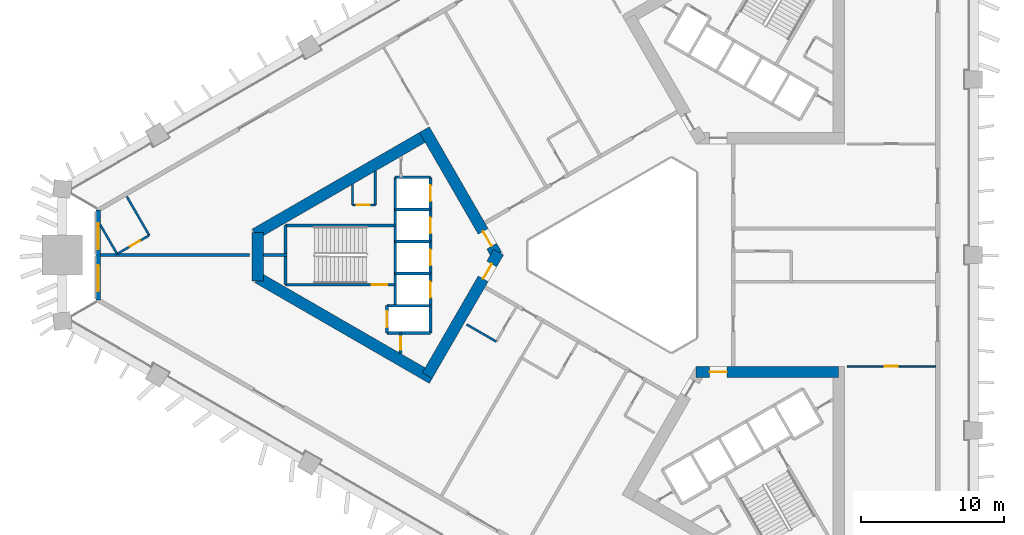
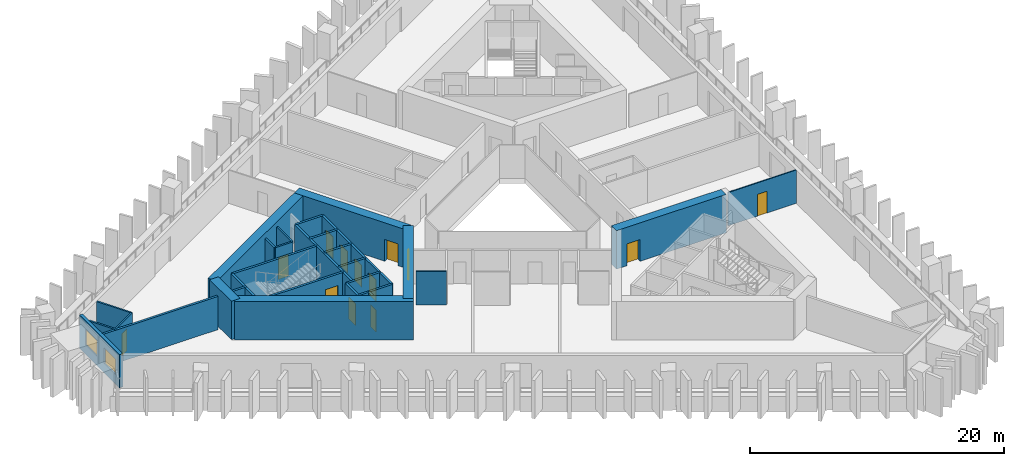
# One storey, part 3 of 10: 30 walls, 13 doors, 2 windows, 15 openings.
"""IFC4 building model written with IfcOpenShell, lengths in metres."""

from ifc_helpers import new_model, si_unit, direction, frame, frame_2d, origin, place, context, subcontext, project, spatial, rectangle, extrude, material, layer, layer_set, type_object, element, fill, save


model = new_model("IFC4")

# Units and contexts
model_context = context("Model", 3, precision=1e-05, world=origin(), true_north=direction((0.0, 1.0)))
body_context = subcontext(model_context, "Body", "Model", "MODEL_VIEW")
ifc_project = project(units=[si_unit("LENGTHUNIT", "METRE"), si_unit("AREAUNIT", "SQUARE_METRE"), si_unit("VOLUMEUNIT", "CUBIC_METRE"), si_unit("PLANEANGLEUNIT", "RADIAN"), si_unit("MASSUNIT", "GRAM", prefix="KILO")], contexts=[model_context])

# Site, building, storey
site_placement = place(None, origin())
site = spatial("IfcSite", under=ifc_project, at=site_placement, CompositionType="ELEMENT")
building_placement = place(site_placement, origin())
building = spatial("IfcBuilding", under=site, at=building_placement, Name="Jabali Bay Hotel Tower and Convention Centre", CompositionType="ELEMENT")
storey_placement = place(building_placement, frame((0.0, 0.0, 33.699951171875)))
storey = spatial("IfcBuildingStorey", under=building, at=storey_placement, Name="L06", CompositionType="ELEMENT", Elevation=33.699951171875)

# Wall
ifc_material_1 = material(Name="Concrete C40", Category="concrete")
ifc_layer_1 = layer(ifc_material_1, 0.199951171875)
ifc_layer_set_1 = layer_set([ifc_layer_1], Name="Concrete C40")
wall_type_1 = type_object("IfcWallType", Name="Core partition wall 200", PredefinedType="PARTITIONING", material=ifc_layer_set_1)
wall_1_placement = place(storey_placement, frame((50.820068359375, 80.0, 0.0), z_axis=(0.0, 0.0, 1.0), x_axis=(-1.0, 0.0, 0.0)))
element("IfcWall", 1, at=wall_1_placement, inside=storey, type_object=wall_type_1, Name="Core wall 0.5 L06", PredefinedType="PARTITIONING", context=body_context, shape_type="SweptSolid", body=[
    extrude(rectangle(XDim=1.623046875, YDim=0.199951171875, at=frame_2d((0.8115234375, 0.0))), origin(), (0.0, 0.0, 1.0), 3.199951171875),
])

# Wall, opening, door
wall_2_placement = place(storey_placement, frame((58.800048828125, 74.550048828125, 0.0), z_axis=(0.0, 0.0, 1.0), x_axis=(0.0, -1.0, 0.0)))
wall_2 = element("IfcWall", 2, at=wall_2_placement, inside=storey, type_object=wall_type_1, Name="Core wall 0.12 L06", PredefinedType="PARTITIONING", context=body_context, shape_type="SweptSolid", body=[
    extrude(rectangle(XDim=1.455078125, YDim=0.199951171875, at=frame_2d((0.7275390625, 0.0))), origin(), (0.0, 0.0, 1.0), 3.199951171875),
])
opening_1_placement = place(wall_2_placement, frame((0.277587890625, 0.0, 0.0)))
opening_1 = element("IfcOpeningElement", 3, at=opening_1_placement, cuts=wall_2, Name="Opening D218", PredefinedType="OPENING", context=body_context, shape_type="SweptSolid", body=[
    extrude(rectangle(XDim=0.89990234375, YDim=2.10009765625, at=frame_2d((0.449951171875, 1.050048828125))), frame((0.0, 0.1103515625, 0.0), z_axis=(0.0, -1.0, 0.0), x_axis=(1.0, 0.0, 0.0)), (0.0, 0.0, 1.0), 0.220947265625),
])
ifc_material_2 = material(Name="Fire-rated steel door", Category="steel")
door_type_1 = type_object("IfcDoorType", Name="Vestibule fire door 900 x 2100", OperationType="NOTDEFINED", PredefinedType="NOTDEFINED", material=ifc_material_2)
door_1_placement = place(opening_1_placement, origin())
door_1 = element("IfcDoor", 4, at=door_1_placement, inside=storey, type_object=door_type_1, Name="Vestibule fire door D218", OperationType="SINGLE_SWING_LEFT", OverallHeight=2.10009765625, OverallWidth=0.89990234375, PredefinedType="NOTDEFINED", context=body_context, shape_type="SweptSolid", body=[
    extrude(rectangle(XDim=0.89990234375, YDim=2.10009765625, at=frame_2d((0.449951171875, 1.050048828125))), frame((0.0, 0.02490234375, 0.0), z_axis=(0.0, -1.0, 0.0), x_axis=(1.0, 0.0, 0.0)), (0.0, 0.0, 1.0), 0.050048828125),
])
fill(opening_1, door_1)

ifc_material_3 = material(Name="Fire-rated board partition")
ifc_layer_2 = layer(ifc_material_3, 0.14990234375)
ifc_layer_set_2 = layer_set([ifc_layer_2], Name="Fire-rated board partition")
wall_type_2 = type_object("IfcWallType", Name="Core room partition 150", PredefinedType="PARTITIONING", material=ifc_layer_set_2)
wall_3_placement = place(storey_placement, frame((57.02001953125, 83.5, 0.0), z_axis=(0.0, 0.0, 1.0), x_axis=(-1.0, 0.0, 0.0)))
wall_3 = element("IfcWall", 5, at=wall_3_placement, inside=storey, type_object=wall_type_2, Name="Core wall 0.1 L06", PredefinedType="PARTITIONING", context=body_context, shape_type="SweptSolid", body=[
    extrude(rectangle(XDim=1.60009765625, YDim=0.14990234375, at=frame_2d((0.800048828125, 0.0))), origin(), (0.0, 0.0, 1.0), 3.199951171875),
])
opening_2_placement = place(wall_3_placement, frame((0.387451171875, 0.0, 0.0)))
opening_2 = element("IfcOpeningElement", 6, at=opening_2_placement, cuts=wall_3, Name="Opening D221", PredefinedType="OPENING", context=body_context, shape_type="SweptSolid", body=[
    extrude(rectangle(XDim=0.89990234375, YDim=2.10009765625, at=frame_2d((0.449951171875, 1.050048828125))), frame((0.0, 0.08544921875, 0.0), z_axis=(0.0, -1.0, 0.0), x_axis=(1.0, 0.0, 0.0)), (0.0, 0.0, 1.0), 0.1708984375),
])
door_type_2 = type_object("IfcDoorType", Name="Core room door 900 x 2100", OperationType="NOTDEFINED", PredefinedType="NOTDEFINED", material=ifc_material_2)
door_2_placement = place(opening_2_placement, origin())
door_2 = element("IfcDoor", 7, at=door_2_placement, inside=storey, type_object=door_type_2, Name="Core room door D221", OperationType="SINGLE_SWING_LEFT", OverallHeight=2.10009765625, OverallWidth=0.89990234375, PredefinedType="NOTDEFINED", context=body_context, shape_type="SweptSolid", body=[
    extrude(rectangle(XDim=0.89990234375, YDim=2.10009765625, at=frame_2d((0.449951171875, 1.050048828125))), frame((0.0, 0.02490234375, 0.0), z_axis=(0.0, -1.0, 0.0), x_axis=(1.0, 0.0, 0.0)), (0.0, 0.0, 1.0), 0.050048828125),
])
fill(opening_2, door_2)

# Walls
wall_4_placement = place(storey_placement, frame((57.02001953125, 85.87744140625, 0.0), z_axis=(0.0, 0.0, 1.0), x_axis=(0.0, -1.0, 0.0)))
element("IfcWall", 8, at=wall_4_placement, inside=storey, type_object=wall_type_2, Name="Core wall 0.15 L06", PredefinedType="PARTITIONING", context=body_context, shape_type="SweptSolid", body=[
    extrude(rectangle(XDim=2.37744140625, YDim=0.14990234375, at=frame_2d((1.188720703125, 0.0))), origin(), (0.0, 0.0, 1.0), 3.199951171875),
])
wall_5_placement = place(storey_placement, frame((55.419921875, 84.95361328125, 0.0), z_axis=(0.0, 0.0, 1.0), x_axis=(0.0, -1.0, 0.0)))
element("IfcWall", 9, at=wall_5_placement, inside=storey, type_object=wall_type_2, Name="Core wall 0.16 L06", PredefinedType="PARTITIONING", context=body_context, shape_type="SweptSolid", body=[
    extrude(rectangle(XDim=1.45361328125, YDim=0.14990234375, at=frame_2d((0.726806640625, 0.0))), origin(), (0.0, 0.0, 1.0), 3.199951171875),
])
ifc_layer_3 = layer(ifc_material_1, 0.199951171875)
ifc_layer_set_3 = layer_set([ifc_layer_3], Name="Concrete C40")
wall_type_3 = type_object("IfcWallType", Name="Core stair wall 200", PredefinedType="SOLIDWALL", material=ifc_layer_set_3)
for number, where, z_axis, x_axis, name in (
    (10, (60.89990234375, 85.449951171875, 0.0), (0.0, 0.0, 1.0), (-1.0, 0.0, 0.0), "Core wall 0.0 L06"),
    (11, (60.89990234375, 83.199951171875, 0.0), (0.0, 0.0, 1.0), (-1.0, 0.0, 0.0), "Core wall 0.2 L06"),
):
    element("IfcWall", number, at=place(storey_placement, frame(where, z_axis=z_axis, x_axis=x_axis)), inside=storey, type_object=wall_type_3, Name=name, PredefinedType="SOLIDWALL", context=body_context, shape_type="SweptSolid", body=[
        extrude(rectangle(XDim=2.47998046875, YDim=0.199951171875, at=frame_2d((1.239990234375, 0.0))), origin(), (0.0, 0.0, 1.0), 3.199951171875),
    ])
wall_6_placement = place(storey_placement, frame((58.419921875, 82.074951171875, 0.0), z_axis=(0.0, 0.0, 1.0), x_axis=(-1.0, 0.0, 0.0)))
element("IfcWall", 12, at=wall_6_placement, inside=storey, type_object=wall_type_3, Name="Core wall 0.3 L06", PredefinedType="SOLIDWALL", context=body_context, shape_type="SweptSolid", body=[
    extrude(rectangle(XDim=7.699951171875, YDim=0.199951171875, at=frame_2d((3.85009765625, 0.0))), origin(), (0.0, 0.0, 1.0), 3.199951171875),
])
for number, where, z_axis, x_axis, name in (
    (13, (60.89990234375, 80.949951171875, 0.0), (0.0, 0.0, 1.0), (-1.0, 0.0, 0.0), "Core wall 0.4 L06"),
    (14, (60.89990234375, 78.699951171875, 0.0), (0.0, 0.0, 1.0), (-1.0, 0.0, 0.0), "Core wall 0.6 L06"),
):
    element("IfcWall", number, at=place(storey_placement, frame(where, z_axis=z_axis, x_axis=x_axis)), inside=storey, type_object=wall_type_3, Name=name, PredefinedType="SOLIDWALL", context=body_context, shape_type="SweptSolid", body=[
        extrude(rectangle(XDim=2.47998046875, YDim=0.199951171875, at=frame_2d((1.239990234375, 0.0))), origin(), (0.0, 0.0, 1.0), 3.199951171875),
    ])

# Wall, opening, door
wall_7_placement = place(storey_placement, frame((58.419921875, 77.925048828125, 0.0), z_axis=(0.0, 0.0, 1.0), x_axis=(-1.0, 0.0, 0.0)))
wall_7 = element("IfcWall", 15, at=wall_7_placement, inside=storey, type_object=wall_type_3, Name="Core wall 0.7 L06", PredefinedType="SOLIDWALL", context=body_context, shape_type="SweptSolid", body=[
    extrude(rectangle(XDim=7.699951171875, YDim=0.199951171875, at=frame_2d((3.85009765625, 0.0))), origin(), (0.0, 0.0, 1.0), 3.199951171875),
])
opening_3_placement = place(wall_7_placement, frame((0.550048828125, 0.0, 0.0)))
opening_3 = element("IfcOpeningElement", 16, at=opening_3_placement, cuts=wall_7, Name="Opening D220", PredefinedType="OPENING", context=body_context, shape_type="SweptSolid", body=[
    extrude(rectangle(XDim=1.10009765625, YDim=2.10009765625, at=frame_2d((0.550048828125, 1.050048828125))), frame((0.0, 0.1103515625, 0.0), z_axis=(0.0, -1.0, 0.0), x_axis=(1.0, 0.0, 0.0)), (0.0, 0.0, 1.0), 0.220947265625),
])
door_type_3 = type_object("IfcDoorType", Name="Stair fire door 1100 x 2100", OperationType="NOTDEFINED", PredefinedType="NOTDEFINED", material=ifc_material_2)
door_3_placement = place(opening_3_placement, origin())
door_3 = element("IfcDoor", 17, at=door_3_placement, inside=storey, type_object=door_type_3, Name="Stair fire door D220", OperationType="SINGLE_SWING_RIGHT", OverallHeight=2.10009765625, OverallWidth=1.10009765625, PredefinedType="NOTDEFINED", context=body_context, shape_type="SweptSolid", body=[
    extrude(rectangle(XDim=1.10009765625, YDim=2.10009765625, at=frame_2d((0.550048828125, 1.050048828125))), frame((0.0, 0.02490234375, 0.0), z_axis=(0.0, -1.0, 0.0), x_axis=(1.0, 0.0, 0.0)), (0.0, 0.0, 1.0), 0.050048828125),
])
fill(opening_3, door_3)

# Walls
for number, where, z_axis, x_axis, name in (
    (18, (60.89990234375, 76.449951171875, 0.0), (0.0, 0.0, 1.0), (-1.0, 0.0, 0.0), "Core wall 0.8 L06"),
    (19, (60.89990234375, 74.550048828125, 0.0), (0.0, 0.0, 1.0), (-1.0, 0.0, 0.0), "Core wall 0.9 L06"),
):
    element("IfcWall", number, at=place(storey_placement, frame(where, z_axis=z_axis, x_axis=x_axis)), inside=storey, type_object=wall_type_3, Name=name, PredefinedType="SOLIDWALL", context=body_context, shape_type="SweptSolid", body=[
        extrude(rectangle(XDim=3.0498046875, YDim=0.199951171875, at=frame_2d((1.52490234375, 0.0))), origin(), (0.0, 0.0, 1.0), 3.199951171875),
    ])

# Wall, openings, doors
wall_8_placement = place(storey_placement, frame((60.89990234375, 85.449951171875, 0.0), z_axis=(0.0, 0.0, 1.0), x_axis=(0.0, -1.0, 0.0)))
wall_8 = element("IfcWall", 20, at=wall_8_placement, inside=storey, type_object=wall_type_3, Name="Core wall 0.10 L06", PredefinedType="SOLIDWALL", context=body_context, shape_type="SweptSolid", body=[
    extrude(rectangle(XDim=10.89990234375, YDim=0.199951171875, at=frame_2d((5.449951171875, 0.0))), origin(), (0.0, 0.0, 1.0), 3.199951171875),
])
opening_4_placement = place(wall_8_placement, frame((0.574951171875, 0.0, 0.0)))
opening_4 = element("IfcOpeningElement", 21, at=opening_4_placement, cuts=wall_8, Name="Opening LD1-L06", PredefinedType="OPENING", context=body_context, shape_type="SweptSolid", body=[
    extrude(rectangle(XDim=1.10009765625, YDim=2.10009765625, at=frame_2d((0.550048828125, 1.050048828125))), frame((0.0, 0.1103515625, 0.0), z_axis=(0.0, -1.0, 0.0), x_axis=(1.0, 0.0, 0.0)), (0.0, 0.0, 1.0), 0.220947265625),
])
opening_5_placement = place(wall_8_placement, frame((2.824951171875, 0.0, 0.0)))
opening_5 = element("IfcOpeningElement", 22, at=opening_5_placement, cuts=wall_8, Name="Opening LD2-L06", PredefinedType="OPENING", context=body_context, shape_type="SweptSolid", body=[
    extrude(rectangle(XDim=1.10009765625, YDim=2.10009765625, at=frame_2d((0.550048828125, 1.050048828125))), frame((0.0, 0.1103515625, 0.0), z_axis=(0.0, -1.0, 0.0), x_axis=(1.0, 0.0, 0.0)), (0.0, 0.0, 1.0), 0.220947265625),
])
opening_6_placement = place(wall_8_placement, frame((5.074951171875, 0.0, 0.0)))
opening_6 = element("IfcOpeningElement", 23, at=opening_6_placement, cuts=wall_8, Name="Opening LD3-L06", PredefinedType="OPENING", context=body_context, shape_type="SweptSolid", body=[
    extrude(rectangle(XDim=1.10009765625, YDim=2.10009765625, at=frame_2d((0.550048828125, 1.050048828125))), frame((0.0, 0.1103515625, 0.0), z_axis=(0.0, -1.0, 0.0), x_axis=(1.0, 0.0, 0.0)), (0.0, 0.0, 1.0), 0.220947265625),
])
opening_7_placement = place(wall_8_placement, frame((7.324951171875, 0.0, 0.0)))
opening_7 = element("IfcOpeningElement", 24, at=opening_7_placement, cuts=wall_8, Name="Opening LD4-L06", PredefinedType="OPENING", context=body_context, shape_type="SweptSolid", body=[
    extrude(rectangle(XDim=1.10009765625, YDim=2.10009765625, at=frame_2d((0.550048828125, 1.050048828125))), frame((0.0, 0.1103515625, 0.0), z_axis=(0.0, -1.0, 0.0), x_axis=(1.0, 0.0, 0.0)), (0.0, 0.0, 1.0), 0.220947265625),
])
ifc_material_4 = material(Name="Stainless steel landing door", Category="steel")
door_type_4 = type_object("IfcDoorType", Name="Landing door 1100 x 2100", OperationType="NOTDEFINED", PredefinedType="NOTDEFINED", material=ifc_material_4)
door_4_placement = place(opening_4_placement, origin())
door_4 = element("IfcDoor", 25, at=door_4_placement, inside=storey, type_object=door_type_4, Name="Landing doors LD1-L06", OperationType="SLIDING_TO_RIGHT", OverallHeight=2.10009765625, OverallWidth=1.10009765625, PredefinedType="NOTDEFINED", context=body_context, shape_type="SweptSolid", body=[
    extrude(rectangle(XDim=1.10009765625, YDim=2.10009765625, at=frame_2d((0.550048828125, 1.050048828125))), frame((0.0, 0.02490234375, 0.0), z_axis=(0.0, -1.0, 0.0), x_axis=(1.0, 0.0, 0.0)), (0.0, 0.0, 1.0), 0.050048828125),
])
fill(opening_4, door_4)
door_5_placement = place(opening_5_placement, origin())
door_5 = element("IfcDoor", 26, at=door_5_placement, inside=storey, type_object=door_type_4, Name="Landing doors LD2-L06", OperationType="SLIDING_TO_LEFT", OverallHeight=2.10009765625, OverallWidth=1.10009765625, PredefinedType="NOTDEFINED", context=body_context, shape_type="SweptSolid", body=[
    extrude(rectangle(XDim=1.10009765625, YDim=2.10009765625, at=frame_2d((0.550048828125, 1.050048828125))), frame((0.0, 0.02490234375, 0.0), z_axis=(0.0, -1.0, 0.0), x_axis=(1.0, 0.0, 0.0)), (0.0, 0.0, 1.0), 0.050048828125),
])
fill(opening_5, door_5)
door_6_placement = place(opening_6_placement, origin())
door_6 = element("IfcDoor", 27, at=door_6_placement, inside=storey, type_object=door_type_4, Name="Landing doors LD3-L06", OperationType="SLIDING_TO_RIGHT", OverallHeight=2.10009765625, OverallWidth=1.10009765625, PredefinedType="NOTDEFINED", context=body_context, shape_type="SweptSolid", body=[
    extrude(rectangle(XDim=1.10009765625, YDim=2.10009765625, at=frame_2d((0.550048828125, 1.050048828125))), frame((0.0, 0.02490234375, 0.0), z_axis=(0.0, -1.0, 0.0), x_axis=(1.0, 0.0, 0.0)), (0.0, 0.0, 1.0), 0.050048828125),
])
fill(opening_6, door_6)
door_7_placement = place(opening_7_placement, origin())
door_7 = element("IfcDoor", 28, at=door_7_placement, inside=storey, type_object=door_type_4, Name="Landing doors LD4-L06", OperationType="SLIDING_TO_LEFT", OverallHeight=2.10009765625, OverallWidth=1.10009765625, PredefinedType="NOTDEFINED", context=body_context, shape_type="SweptSolid", body=[
    extrude(rectangle(XDim=1.10009765625, YDim=2.10009765625, at=frame_2d((0.550048828125, 1.050048828125))), frame((0.0, 0.02490234375, 0.0), z_axis=(0.0, -1.0, 0.0), x_axis=(1.0, 0.0, 0.0)), (0.0, 0.0, 1.0), 0.050048828125),
])
fill(opening_7, door_7)

# Wall
wall_9_placement = place(storey_placement, frame((58.419921875, 85.449951171875, 0.0), z_axis=(0.0, 0.0, 1.0), x_axis=(0.0, -1.0, 0.0)))
element("IfcWall", 29, at=wall_9_placement, inside=storey, type_object=wall_type_3, Name="Core wall 0.13 L06", PredefinedType="SOLIDWALL", context=body_context, shape_type="SweptSolid", body=[
    extrude(rectangle(XDim=9.0, YDim=0.199951171875, at=frame_2d((4.5, 0.0))), origin(), (0.0, 0.0, 1.0), 3.199951171875),
])

# Wall, opening, door
wall_10_placement = place(storey_placement, frame((57.85009765625, 76.449951171875, 0.0), z_axis=(0.0, 0.0, 1.0), x_axis=(0.0, -1.0, 0.0)))
wall_10 = element("IfcWall", 30, at=wall_10_placement, inside=storey, type_object=wall_type_3, Name="Core wall 0.14 L06", PredefinedType="SOLIDWALL", context=body_context, shape_type="SweptSolid", body=[
    extrude(rectangle(XDim=1.89990234375, YDim=0.199951171875, at=frame_2d((0.949951171875, 0.0))), origin(), (0.0, 0.0, 1.0), 3.199951171875),
])
opening_8_placement = place(wall_10_placement, frame((0.39990234375, 0.0, 0.0)))
opening_8 = element("IfcOpeningElement", 31, at=opening_8_placement, cuts=wall_10, Name="Opening LD5-L06", PredefinedType="OPENING", context=body_context, shape_type="SweptSolid", body=[
    extrude(rectangle(XDim=1.10009765625, YDim=2.10009765625, at=frame_2d((0.550048828125, 1.050048828125))), frame((0.0, 0.1103515625, 0.0), z_axis=(0.0, -1.0, 0.0), x_axis=(1.0, 0.0, 0.0)), (0.0, 0.0, 1.0), 0.220947265625),
])
door_8_placement = place(opening_8_placement, origin())
door_8 = element("IfcDoor", 32, at=door_8_placement, inside=storey, type_object=door_type_4, Name="Landing doors LD5-L06", OperationType="SLIDING_TO_RIGHT", OverallHeight=2.10009765625, OverallWidth=1.10009765625, PredefinedType="NOTDEFINED", context=body_context, shape_type="SweptSolid", body=[
    extrude(rectangle(XDim=1.10009765625, YDim=2.10009765625, at=frame_2d((0.550048828125, 1.050048828125))), frame((0.0, 0.02490234375, 0.0), z_axis=(0.0, -1.0, 0.0), x_axis=(1.0, 0.0, 0.0)), (0.0, 0.0, 1.0), 0.050048828125),
])
fill(opening_8, door_8)

# Wall
wall_11_placement = place(storey_placement, frame((50.719970703125, 82.074951171875, 0.0), z_axis=(0.0, 0.0, 1.0), x_axis=(0.0, -1.0, 0.0)))
element("IfcWall", 33, at=wall_11_placement, inside=storey, type_object=wall_type_3, Name="Core wall 0.17 L06", PredefinedType="SOLIDWALL", context=body_context, shape_type="SweptSolid", body=[
    extrude(rectangle(XDim=4.14990234375, YDim=0.199951171875, at=frame_2d((2.074951171875, 0.0))), origin(), (0.0, 0.0, 1.0), 3.199951171875),
])

# Wall, opening, door
ifc_material_5 = material(Name="Concrete C60", Category="concrete")
ifc_layer_4 = layer(ifc_material_5, 0.800048828125)
ifc_layer_set_4 = layer_set([ifc_layer_4], Name="Concrete C60")
wall_type_4 = type_object("IfcWallType", Name="Core wall 800", PredefinedType="SHEAR", material=ifc_layer_set_4)
wall_12_placement = place(storey_placement, frame((65.5380859375, 80.0, 0.0), z_axis=(0.0, 0.0, 1.0), x_axis=(-0.49999662545, 0.866027352073, 0.0)))
wall_12 = element("IfcWall", 34, at=wall_12_placement, inside=storey, type_object=wall_type_4, Name="Core wall 1.1 L06", PredefinedType="SHEAR", context=body_context, shape_type="SweptSolid", body=[
    extrude(rectangle(XDim=10.14892578125, YDim=0.800048828125, at=frame_2d((5.074462890625, 0.0))), origin(), (0.0, 0.0, 1.0), 3.699951171875),
])
opening_9_placement = place(wall_12_placement, frame((0.718994140625, 0.0, 0.0)))
opening_9 = element("IfcOpeningElement", 35, at=opening_9_placement, cuts=wall_12, Name="Opening D216", PredefinedType="OPENING", context=body_context, shape_type="SweptSolid", body=[
    extrude(rectangle(XDim=1.199951171875, YDim=2.10009765625, at=frame_2d((0.60009765625, 1.050048828125))), frame((0.0, 0.41064453125, 0.0), z_axis=(0.0, -1.0, 0.0), x_axis=(1.0, 0.0, 0.0)), (0.0, 0.0, 1.0), 0.821044921875),
])
door_type_5 = type_object("IfcDoorType", Name="Corridor end fire door 1200 x 2100", OperationType="NOTDEFINED", PredefinedType="NOTDEFINED", material=ifc_material_2)
door_9_placement = place(opening_9_placement, origin())
door_9 = element("IfcDoor", 36, at=door_9_placement, inside=storey, type_object=door_type_5, Name="Corridor end fire door D216", OperationType="SINGLE_SWING_RIGHT", OverallHeight=2.10009765625, OverallWidth=1.199951171875, PredefinedType="NOTDEFINED", context=body_context, shape_type="SweptSolid", body=[
    extrude(rectangle(XDim=1.199951171875, YDim=2.10009765625, at=frame_2d((0.60009765625, 1.050048828125))), frame((0.0, 0.02490234375, 0.0), z_axis=(0.0, -1.0, 0.0), x_axis=(1.0, 0.0, 0.0)), (0.0, 0.0, 1.0), 0.050048828125),
])
fill(opening_9, door_9)

# Walls
wall_13_placement = place(storey_placement, frame((60.66357421875, 88.44287109375, 0.0), z_axis=(0.0, 0.0, 1.0), x_axis=(-0.866029478545, -0.499992942241, 0.0)))
element("IfcWall", 37, at=wall_13_placement, inside=storey, type_object=wall_type_4, Name="Core wall 1.2 L06", PredefinedType="SHEAR", context=body_context, shape_type="SweptSolid", body=[
    extrude(rectangle(XDim=13.933349609375, YDim=0.800048828125, at=frame_2d((6.966796875, 0.0))), origin(), (0.0, 0.0, 1.0), 3.699951171875),
])
wall_14_placement = place(storey_placement, frame((48.796875, 81.591796875, 0.0), z_axis=(0.0, 0.0, 1.0), x_axis=(0.0, -1.0, 0.0)))
element("IfcWall", 38, at=wall_14_placement, inside=storey, type_object=wall_type_4, Name="Core wall 1.3 L06", PredefinedType="SHEAR", context=body_context, shape_type="SweptSolid", body=[
    extrude(rectangle(XDim=3.41455078125, YDim=0.800048828125, at=frame_2d((1.707275390625, 0.0))), origin(), (0.0, 0.0, 1.0), 3.699951171875),
])
wall_15_placement = place(storey_placement, frame((48.796875, 78.408203125, 0.0), z_axis=(0.0, 0.0, 1.0), x_axis=(0.866032504327, -0.499987701298, 0.0)))
element("IfcWall", 39, at=wall_15_placement, inside=storey, type_object=wall_type_4, Name="Core wall 1.4 L06", PredefinedType="SHEAR", context=body_context, shape_type="SweptSolid", body=[
    extrude(rectangle(XDim=14.102294921875, YDim=0.800048828125, at=frame_2d((7.05126953125, 0.0))), origin(), (0.0, 0.0, 1.0), 3.699951171875),
])

# Wall, opening, door
wall_16_placement = place(storey_placement, frame((60.66357421875, 71.55712890625, 0.0), z_axis=(0.0, 0.0, 1.0), x_axis=(0.50000409368, 0.866023040284, 0.0)))
wall_16 = element("IfcWall", 40, at=wall_16_placement, inside=storey, type_object=wall_type_4, Name="Core wall 1.5 L06", PredefinedType="SHEAR", context=body_context, shape_type="SweptSolid", body=[
    extrude(rectangle(XDim=9.97998046875, YDim=0.800048828125, at=frame_2d((4.989990234375, 0.0))), origin(), (0.0, 0.0, 1.0), 3.699951171875),
])
opening_10_placement = place(wall_16_placement, frame((7.830078125, 0.0, 0.0)))
opening_10 = element("IfcOpeningElement", 41, at=opening_10_placement, cuts=wall_16, Name="Opening D217", PredefinedType="OPENING", context=body_context, shape_type="SweptSolid", body=[
    extrude(rectangle(XDim=1.199951171875, YDim=2.10009765625, at=frame_2d((0.60009765625, 1.050048828125))), frame((0.0, 0.41064453125, 0.0), z_axis=(0.0, -1.0, 0.0), x_axis=(1.0, 0.0, 0.0)), (0.0, 0.0, 1.0), 0.821044921875),
])
door_10_placement = place(opening_10_placement, origin())
door_10 = element("IfcDoor", 42, at=door_10_placement, inside=storey, type_object=door_type_5, Name="Corridor end fire door D217", OperationType="SINGLE_SWING_LEFT", OverallHeight=2.10009765625, OverallWidth=1.199951171875, PredefinedType="NOTDEFINED", context=body_context, shape_type="SweptSolid", body=[
    extrude(rectangle(XDim=1.199951171875, YDim=2.10009765625, at=frame_2d((0.60009765625, 1.050048828125))), frame((0.0, 0.02490234375, 0.0), z_axis=(0.0, -1.0, 0.0), x_axis=(1.0, 0.0, 0.0)), (0.0, 0.0, 1.0), 0.050048828125),
])
fill(opening_10, door_10)

wall_17_placement = place(storey_placement, frame((89.47998046875, 71.8056640625, 0.0), z_axis=(0.0, 0.0, 1.0), x_axis=(-1.0, 0.0, 0.0)))
wall_17 = element("IfcWall", 43, at=wall_17_placement, inside=storey, type_object=wall_type_4, Name="Core wall 3.5 L06", PredefinedType="SHEAR", context=body_context, shape_type="SweptSolid", body=[
    extrude(rectangle(XDim=9.97998046875, YDim=0.800048828125, at=frame_2d((4.989990234375, 0.0))), origin(), (0.0, 0.0, 1.0), 3.699951171875),
])
opening_11_placement = place(wall_17_placement, frame((7.830078125, 0.0, 0.0)))
opening_11 = element("IfcOpeningElement", 44, at=opening_11_placement, cuts=wall_17, Name="Opening D229", PredefinedType="OPENING", context=body_context, shape_type="SweptSolid", body=[
    extrude(rectangle(XDim=1.199951171875, YDim=2.10009765625, at=frame_2d((0.60009765625, 1.050048828125))), frame((0.0, 0.41064453125, 0.0), z_axis=(0.0, -1.0, 0.0), x_axis=(1.0, 0.0, 0.0)), (0.0, 0.0, 1.0), 0.821044921875),
])
door_11_placement = place(opening_11_placement, origin())
door_11 = element("IfcDoor", 45, at=door_11_placement, inside=storey, type_object=door_type_5, Name="Corridor end fire door D229", OperationType="SINGLE_SWING_LEFT", OverallHeight=2.10009765625, OverallWidth=1.199951171875, PredefinedType="NOTDEFINED", context=body_context, shape_type="SweptSolid", body=[
    extrude(rectangle(XDim=1.199951171875, YDim=2.10009765625, at=frame_2d((0.60009765625, 1.050048828125))), frame((0.0, 0.02490234375, 0.0), z_axis=(0.0, -1.0, 0.0), x_axis=(1.0, 0.0, 0.0)), (0.0, 0.0, 1.0), 0.050048828125),
])
fill(opening_11, door_11)

# Wall, openings, windows
ifc_layer_5 = layer(ifc_material_1, 0.300048828125)
ifc_layer_set_5 = layer_set([ifc_layer_5], Name="Concrete C40")
wall_type_5 = type_object("IfcWallType", Name="External wall 300", PredefinedType="SOLIDWALL", material=ifc_layer_set_5)
wall_18_placement = place(storey_placement, frame((37.609619140625, 76.84765625, 0.0), z_axis=(0.0, 0.0, 1.0), x_axis=(0.0, 1.0, 0.0)))
wall_18 = element("IfcWall", 46, at=wall_18_placement, inside=storey, type_object=wall_type_5, Name="External wall west chamfer L06", PredefinedType="SOLIDWALL", context=body_context, shape_type="SweptSolid", body=[
    extrude(rectangle(XDim=6.3046875, YDim=0.300048828125, at=frame_2d((3.15234375, 0.0))), origin(), (0.0, 0.0, 1.0), 3.199951171875),
])
opening_12_placement = place(wall_18_placement, frame((3.56982421875, 0.0, 0.89990234375)))
opening_12 = element("IfcOpeningElement", 47, at=opening_12_placement, cuts=wall_18, Name="Opening W1", PredefinedType="OPENING", context=body_context, shape_type="SweptSolid", body=[
    extrude(rectangle(XDim=1.800048828125, YDim=1.5, at=frame_2d((0.89990234375, 0.75))), frame((0.0, 0.16064453125, 0.0), z_axis=(0.0, -1.0, 0.0), x_axis=(1.0, 0.0, 0.0)), (0.0, 0.0, 1.0), 0.321044921875),
])
opening_13_placement = place(wall_18_placement, frame((0.63330078125, 0.0, 0.89990234375)))
opening_13 = element("IfcOpeningElement", 48, at=opening_13_placement, cuts=wall_18, Name="Opening W1", PredefinedType="OPENING", context=body_context, shape_type="SweptSolid", body=[
    extrude(rectangle(XDim=1.800048828125, YDim=1.5, at=frame_2d((0.89990234375, 0.75))), frame((0.0, 0.16064453125, 0.0), z_axis=(0.0, -1.0, 0.0), x_axis=(1.0, 0.0, 0.0)), (0.0, 0.0, 1.0), 0.321044921875),
])
ifc_material_6 = material(Name="Glass", Category="glass")
window_type = type_object("IfcWindowType", Name="Window 1800 x 1500", PartitioningType="SINGLE_PANEL", PredefinedType="WINDOW", material=ifc_material_6)
window_1_placement = place(opening_12_placement, origin())
window_1 = element("IfcWindow", 49, at=window_1_placement, inside=storey, type_object=window_type, Name="Window 606", OverallHeight=1.5, OverallWidth=1.800048828125, PartitioningType="SINGLE_PANEL", PredefinedType="WINDOW", context=body_context, shape_type="SweptSolid", body=[
    extrude(rectangle(XDim=1.800048828125, YDim=1.5, at=frame_2d((0.89990234375, 0.75))), frame((0.0, 0.030029296875, 0.0), z_axis=(0.0, -1.0, 0.0), x_axis=(1.0, 0.0, 0.0)), (0.0, 0.0, 1.0), 0.06005859375),
])
fill(opening_12, window_1)
window_2_placement = place(opening_13_placement, origin())
window_2 = element("IfcWindow", 50, at=window_2_placement, inside=storey, type_object=window_type, Name="Window 607", OverallHeight=1.5, OverallWidth=1.800048828125, PartitioningType="SINGLE_PANEL", PredefinedType="WINDOW", context=body_context, shape_type="SweptSolid", body=[
    extrude(rectangle(XDim=1.800048828125, YDim=1.5, at=frame_2d((0.89990234375, 0.75))), frame((0.0, 0.030029296875, 0.0), z_axis=(0.0, -1.0, 0.0), x_axis=(1.0, 0.0, 0.0)), (0.0, 0.0, 1.0), 0.06005859375),
])
fill(opening_13, window_2)

# Wall, opening, door
ifc_material_7 = material(Name="Plasterboard on steel stud", Category="steel")
ifc_layer_6 = layer(ifc_material_7, 0.10009765625)
ifc_layer_set_6 = layer_set([ifc_layer_6], Name="Plasterboard on steel stud")
wall_type_6 = type_object("IfcWallType", Name="Partition 100 unit", PredefinedType="PARTITIONING", material=ifc_layer_set_6)
wall_19_placement = place(storey_placement, frame((90.0791015625, 72.205810546875, 0.0), z_axis=(0.0, 0.0, 1.0), x_axis=(1.0, 0.0, 0.0)))
wall_19 = element("IfcWall", 51, at=wall_19_placement, inside=storey, type_object=wall_type_6, Name="Partition P02 L06 001", PredefinedType="PARTITIONING", context=body_context, shape_type="SweptSolid", body=[
    extrude(rectangle(XDim=6.197265625, YDim=0.10009765625, at=frame_2d((3.0986328125, 0.0))), origin(), (0.0, 0.0, 1.0), 3.199951171875),
])
opening_14_placement = place(wall_19_placement, frame((2.64892578125, 0.0, 0.0)))
opening_14 = element("IfcOpeningElement", 52, at=opening_14_placement, cuts=wall_19, Name="Opening 0602", PredefinedType="OPENING", context=body_context, shape_type="SweptSolid", body=[
    extrude(rectangle(XDim=0.89990234375, YDim=2.10009765625, at=frame_2d((0.449951171875, 1.050048828125))), frame((0.0, 0.060546875, 0.0), z_axis=(0.0, -1.0, 0.0), x_axis=(1.0, 0.0, 0.0)), (0.0, 0.0, 1.0), 0.12109375),
])
ifc_material_8 = material(Name="Timber", Category="wood")
door_type_6 = type_object("IfcDoorType", Name="Internal door 900 x 2100", OperationType="NOTDEFINED", PredefinedType="NOTDEFINED", material=ifc_material_8)
door_12_placement = place(opening_14_placement, origin())
door_12 = element("IfcDoor", 53, at=door_12_placement, inside=storey, type_object=door_type_6, Name="Door 0602", OperationType="SINGLE_SWING_RIGHT", OverallHeight=2.10009765625, OverallWidth=0.89990234375, PredefinedType="NOTDEFINED", context=body_context, shape_type="SweptSolid", body=[
    extrude(rectangle(XDim=0.89990234375, YDim=2.10009765625, at=frame_2d((0.449951171875, 1.050048828125))), frame((0.0, 0.02490234375, 0.0), z_axis=(0.0, -1.0, 0.0), x_axis=(1.0, 0.0, 0.0)), (0.0, 0.0, 1.0), 0.050048828125),
])
fill(opening_14, door_12)

# Wall
ifc_layer_7 = layer(ifc_material_7, 0.14990234375)
ifc_layer_set_7 = layer_set([ifc_layer_7], Name="Plasterboard on steel stud")
wall_type_7 = type_object("IfcWallType", Name="Partition 150 wet", PredefinedType="PARTITIONING", material=ifc_layer_set_7)
wall_20_placement = place(storey_placement, frame((39.619140625, 84.09326171875, 0.0), z_axis=(0.0, 0.0, 1.0), x_axis=(0.499951757484, -0.866053254822, 0.0)))
element("IfcWall", 54, at=wall_20_placement, inside=storey, type_object=wall_type_7, Name="Partition P03 L06 025", PredefinedType="PARTITIONING", context=body_context, shape_type="SweptSolid", body=[
    extrude(rectangle(XDim=3.133544921875, YDim=0.14990234375, at=frame_2d((1.56689453125, 0.0))), origin(), (0.0, 0.0, 1.0), 3.199951171875),
])

# Wall, opening, door
wall_21_placement = place(storey_placement, frame((41.185791015625, 81.37939453125, 0.0), z_axis=(0.0, 0.0, 1.0), x_axis=(-0.865997922154, -0.500047596559, 0.0)))
wall_21 = element("IfcWall", 55, at=wall_21_placement, inside=storey, type_object=wall_type_7, Name="Partition P03 L06 026", PredefinedType="PARTITIONING", context=body_context, shape_type="SweptSolid", body=[
    extrude(rectangle(XDim=2.599853515625, YDim=0.14990234375, at=frame_2d((1.2998046875, 0.0))), origin(), (0.0, 0.0, 1.0), 3.199951171875),
])
opening_15_placement = place(wall_21_placement, frame((0.75, 0.0, 0.0)))
opening_15 = element("IfcOpeningElement", 56, at=opening_15_placement, cuts=wall_21, Name="Opening 0616", PredefinedType="OPENING", context=body_context, shape_type="SweptSolid", body=[
    extrude(rectangle(XDim=0.800048828125, YDim=2.10009765625, at=frame_2d((0.39990234375, 1.050048828125))), frame((0.0, 0.08544921875, 0.0), z_axis=(0.0, -1.0, 0.0), x_axis=(1.0, 0.0, 0.0)), (0.0, 0.0, 1.0), 0.1708984375),
])
door_type_7 = type_object("IfcDoorType", Name="En-suite door 800 x 2100", OperationType="NOTDEFINED", PredefinedType="NOTDEFINED", material=ifc_material_8)
door_13_placement = place(opening_15_placement, origin())
door_13 = element("IfcDoor", 57, at=door_13_placement, inside=storey, type_object=door_type_7, Name="Door 0616", OperationType="SINGLE_SWING_LEFT", OverallHeight=2.10009765625, OverallWidth=0.800048828125, PredefinedType="NOTDEFINED", context=body_context, shape_type="SweptSolid", body=[
    extrude(rectangle(XDim=0.800048828125, YDim=2.10009765625, at=frame_2d((0.39990234375, 1.050048828125))), frame((0.0, 0.02490234375, 0.0), z_axis=(0.0, -1.0, 0.0), x_axis=(1.0, 0.0, 0.0)), (0.0, 0.0, 1.0), 0.050048828125),
])
fill(opening_15, door_13)

# Walls
wall_22_placement = place(storey_placement, frame((38.934326171875, 80.079345703125, 0.0), z_axis=(0.0, 0.0, 1.0), x_axis=(-0.500025027364, 0.866010953747, 0.0)))
element("IfcWall", 58, at=wall_22_placement, inside=storey, type_object=wall_type_7, Name="Partition P03 L06 027", PredefinedType="PARTITIONING", context=body_context, shape_type="SweptSolid", body=[
    extrude(rectangle(XDim=2.3515625, YDim=0.14990234375, at=frame_2d((1.17578125, 0.0))), origin(), (0.0, 0.0, 1.0), 3.199951171875),
])
wall_23_placement = place(storey_placement, frame((65.501708984375, 73.936767578125, 0.0), z_axis=(0.0, 0.0, 1.0), x_axis=(-0.865994240961, 0.500053971709, 0.0)))
element("IfcWall", 59, at=wall_23_placement, inside=storey, type_object=wall_type_7, Name="Partition P03 L06 030", PredefinedType="PARTITIONING", context=body_context, shape_type="SweptSolid", body=[
    extrude(rectangle(XDim=2.401123046875, YDim=0.14990234375, at=frame_2d((1.20068359375, 0.0))), origin(), (0.0, 0.0, 1.0), 3.199951171875),
])
ifc_layer_8 = layer(ifc_material_7, 0.199951171875)
ifc_layer_set_8 = layer_set([ifc_layer_8], Name="Plasterboard on steel stud")
wall_type_8 = type_object("IfcWallType", Name="Partition 200 party", PredefinedType="PARTITIONING", material=ifc_layer_set_8)
wall_24_placement = place(storey_placement, frame((37.758544921875, 80.0009765625, 0.0), z_axis=(0.0, 0.0, 1.0), x_axis=(1.0, 0.0, 0.0)))
element("IfcWall", 60, at=wall_24_placement, inside=storey, type_object=wall_type_8, Name="Partition P01 L06 028", PredefinedType="PARTITIONING", context=body_context, shape_type="SweptSolid", body=[
    extrude(rectangle(XDim=10.439453125, YDim=0.199951171875, at=frame_2d((5.2197265625, 0.0))), origin(), (0.0, 0.0, 1.0), 3.199951171875),
])

save(model, "model.ifc")
